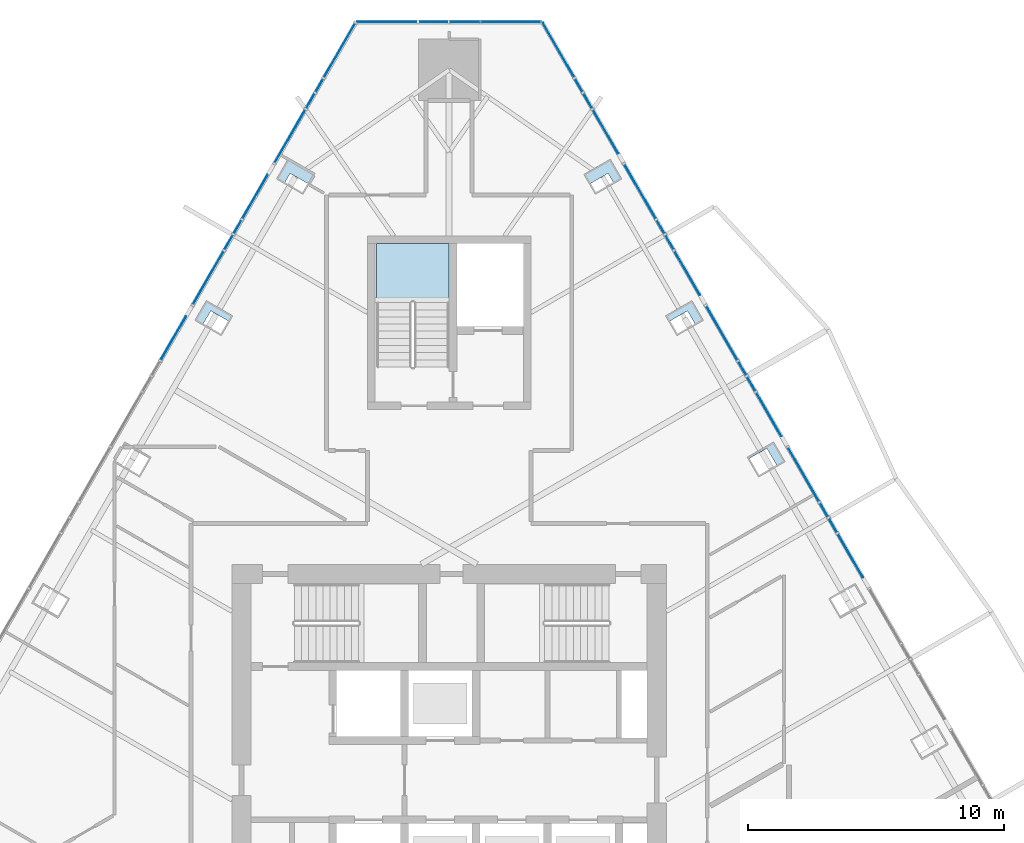
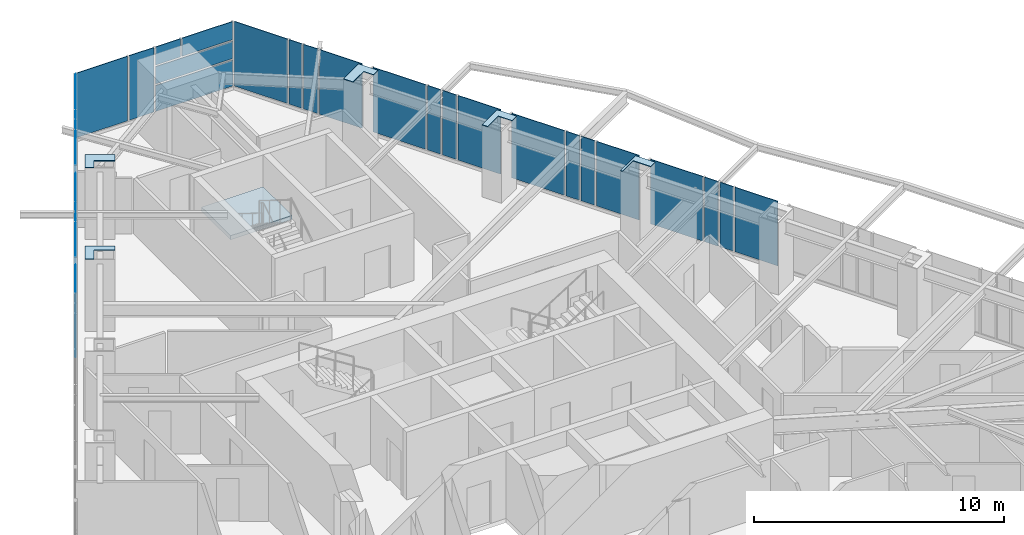
# One storey, part 20 of 26: 36 plates, 1 slab, 4 elements without a shape of their own.
"""IFC4 building model written with IfcOpenShell, lengths in metres."""

import ifcopenshell
import ifcopenshell.guid

model = None  # the IFC model being written
_history = None  # IfcOwnerHistory: only IFC2X3 demands one
_inside = {}  # id of a spatial element -> (the spatial element, [elements in it])
_under = {}  # id of a project, library or spatial element -> (it, [spatial elements below it])
_declared = {}  # id of a project -> (the project, [libraries it declares])
_typed = {}  # id of a type object -> (the type object, [elements of that type])
_made_of = {}  # id of a material, layer set ... -> (it, [elements and type objects made of it])


def new_model(schema):
    """Start an empty IFC model of exactly this schema.

    Asked for "IFC4X3", IfcOpenShell would pick the latest addendum, in which some entities
    have other attributes; the version numbers below select the first issue.
    IFC2X3 requires an IfcOwnerHistory on every rooted entity: one is made here for all.
    """
    global model, _history
    if schema == "IFC4X3":
        model = ifcopenshell.file(schema_version=(4, 3, 0, 0))
    else:
        model = ifcopenshell.file(schema=schema)
    _inside.clear()
    _under.clear()
    _declared.clear()
    _typed.clear()
    _made_of.clear()
    _history = None
    if model.schema == "IFC2X3":
        org = make("IfcOrganization", Name="unknown")
        user = make(
            "IfcPersonAndOrganization",
            ThePerson=make("IfcPerson", FamilyName="unknown"),
            TheOrganization=org,
        )
        app = make(
            "IfcApplication",
            ApplicationDeveloper=org,
            Version="unknown",
            ApplicationFullName="unknown",
            ApplicationIdentifier="unknown",
        )
        _history = make(
            "IfcOwnerHistory",
            OwningUser=user,
            OwningApplication=app,
            ChangeAction="ADDED",
            CreationDate=0,
        )
    return model


def make(cls, **values):
    """One entity of the class cls with the attributes given. An attribute that is None is left unset."""
    return model.create_entity(
        cls, **{name: value for name, value in values.items() if value is not None}
    )


def rooted(cls, **values):
    """An entity with a GlobalId (a new one), such as an element, a storey or a relation."""
    return make(cls, GlobalId=ifcopenshell.guid.new(), OwnerHistory=_history, **values)


def si_unit(unit_type, name, prefix=None):
    """IfcSIUnit, for example si_unit("LENGTHUNIT", "METRE", prefix="MILLI")."""
    return make("IfcSIUnit", UnitType=unit_type, Prefix=prefix, Name=name)


def assignment(units):
    """IfcUnitAssignment: the units of a project."""
    return None if units is None else make("IfcUnitAssignment", Units=units)


def point(xyz):
    """IfcCartesianPoint."""
    return None if xyz is None else make("IfcCartesianPoint", Coordinates=xyz)


def direction(xyz):
    """IfcDirection."""
    return None if xyz is None else make("IfcDirection", DirectionRatios=xyz)


def frame(location, z_axis=None, x_axis=None):
    """IfcAxis2Placement3D, a coordinate frame: its origin and axes. An axis left out is left unset."""
    return make(
        "IfcAxis2Placement3D",
        Location=point(location),
        Axis=direction(z_axis),
        RefDirection=direction(x_axis),
    )


def origin():
    """The frame at (0, 0, 0) with its axes left unset."""
    return frame((0.0, 0.0, 0.0))


def place(relative_to, where):
    """IfcLocalPlacement: puts the frame where relative to a parent placement (None: the world)."""
    return make(
        "IfcLocalPlacement", PlacementRelTo=relative_to, RelativePlacement=where
    )


def context(
    kind, dimensions, precision=None, world=None, true_north=None, identifier=None
):
    """IfcGeometricRepresentationContext, for example the 3D "Model" context."""
    return make(
        "IfcGeometricRepresentationContext",
        ContextIdentifier=identifier,
        ContextType=kind,
        CoordinateSpaceDimension=dimensions,
        Precision=precision,
        WorldCoordinateSystem=world,
        TrueNorth=true_north,
    )


def subcontext(parent, identifier, kind, view, scale=None):
    """IfcGeometricRepresentationSubContext, for example "Body" below "Model"."""
    return make(
        "IfcGeometricRepresentationSubContext",
        ContextIdentifier=identifier,
        ContextType=kind,
        ParentContext=parent,
        TargetScale=scale,
        TargetView=view,
    )


def project(units=None, contexts=None):
    """IfcProject with its units and contexts."""
    return rooted(
        "IfcProject",
        Name="project",
        RepresentationContexts=contexts,
        UnitsInContext=assignment(units),
    )


def spatial(cls, under=None, at=None, **own):
    """A site, building, storey or space (cls), placed at a placement, below another one or the project."""
    s = rooted(cls, ObjectPlacement=at, **own)
    if under is not None:
        _under.setdefault(under.id(), (under, []))[1].append(s)
    return s


def polyline(points):
    """IfcPolyline through the points."""
    return make("IfcPolyline", Points=[point(p) for p in points])


def outline(outer, holes=None, kind="AREA"):
    """IfcArbitraryClosedProfileDef: a profile drawn as a closed curve; with holes, ...WithVoids."""
    if holes is None:
        return make("IfcArbitraryClosedProfileDef", ProfileType=kind, OuterCurve=outer)
    return make(
        "IfcArbitraryProfileDefWithVoids",
        ProfileType=kind,
        OuterCurve=outer,
        InnerCurves=holes,
    )


def extrude(swept, where, along, depth):
    """IfcExtrudedAreaSolid: the profile swept, set in the frame where, extruded along a direction by depth."""
    return make(
        "IfcExtrudedAreaSolid",
        SweptArea=swept,
        Position=where,
        ExtrudedDirection=direction(along),
        Depth=depth,
    )


def shape(context_of_items, identifier, shape_type, items):
    """IfcShapeRepresentation: the items that make up one representation, for example the "Body"."""
    return make(
        "IfcShapeRepresentation",
        ContextOfItems=context_of_items,
        RepresentationIdentifier=identifier,
        RepresentationType=shape_type,
        Items=items,
    )


def material(Name=None, Category=None):
    """IfcMaterial."""
    return make("IfcMaterial", Name=Name, Category=Category)


def layer(
    of_material, thickness, ventilated=None, Name=None, Category=None, Priority=None
):
    """IfcMaterialLayer: one layer of a wall or slab, of a material (None: an air gap)."""
    return make(
        "IfcMaterialLayer",
        Material=of_material,
        LayerThickness=thickness,
        IsVentilated=ventilated,
        Name=Name,
        Category=Category,
        Priority=Priority,
    )


def layer_set(layers, Name=None):
    """IfcMaterialLayerSet."""
    return make("IfcMaterialLayerSet", MaterialLayers=layers, LayerSetName=Name)


def made_of(thing, what):
    """Note that an element or type object is made of a material, layer set ...; save() writes the relation."""
    if what is not None:
        _made_of.setdefault(what.id(), (what, []))[1].append(thing)
    return thing


def type_object(cls, material=None, **own):
    """A type object (cls), such as IfcWallType, which elements share."""
    return made_of(rooted(cls, **own), material)


def element(
    cls,
    number,
    at=None,
    inside=None,
    cuts=None,
    type_object=None,
    material=None,
    context=None,
    identifier="Body",
    shape_type=None,
    held_by="IfcProductDefinitionShape",
    body=None,
    shapes=None,
    **own,
):
    """One element of the class cls, such as IfcWall. Its Tag is "e" and its number.

    at: its placement. inside: the storey or other place that contains it. cuts: it is an
    opening in that element (IfcRelVoidsElement). A single representation is given by context,
    identifier, shape_type and body (its items); several are given by shapes. held_by: the class
    of the entity that holds the representations. save() writes the other relations.
    """
    e = rooted(cls, Tag="e%d" % number, ObjectPlacement=at, **own)
    if body is not None:
        shapes = [shape(context, identifier, shape_type, body)]
    if shapes is not None:
        e.Representation = make(held_by, Representations=shapes)
    if inside is not None:
        _inside.setdefault(inside.id(), (inside, []))[1].append(e)
    if cuts is not None:
        rooted(
            "IfcRelVoidsElement", RelatingBuildingElement=cuts, RelatedOpeningElement=e
        )
    if type_object is not None:
        _typed.setdefault(type_object.id(), (type_object, []))[1].append(e)
    return made_of(e, material)


def aggregate(whole, parts):
    """IfcRelAggregates: a whole, such as a stair, and the parts it consists of."""
    return rooted("IfcRelAggregates", RelatingObject=whole, RelatedObjects=parts)


def save(model, path):
    """Write the relations noted so far, then the file.

    IfcRelAggregates (storeys below a building ...), IfcRelContainedInSpatialStructure (elements
    in a storey), IfcRelDefinesByType, IfcRelAssociatesMaterial and IfcRelDeclares: one each for
    every whole, place, type object, material and project.
    """
    for whole, parts in _under.values():
        aggregate(whole, parts)
    for where, things in _inside.values():
        rooted(
            "IfcRelContainedInSpatialStructure",
            RelatedElements=things,
            RelatingStructure=where,
        )
    for kind, things in _typed.values():
        rooted("IfcRelDefinesByType", RelatedObjects=things, RelatingType=kind)
    for what, things in _made_of.values():
        rooted("IfcRelAssociatesMaterial", RelatedObjects=things, RelatingMaterial=what)
    for by, libraries in _declared.values():
        rooted("IfcRelDeclares", RelatingContext=by, RelatedDefinitions=libraries)
    model.write(path)


model = new_model("IFC4")

# Units and contexts
model_context = context("Model", 3, precision=1e-05, world=origin(), true_north=direction((0.0, 1.0)))
body_context = subcontext(model_context, "Body", "Model", "MODEL_VIEW")
ifc_project = project(units=[si_unit("LENGTHUNIT", "METRE"), si_unit("AREAUNIT", "SQUARE_METRE"), si_unit("VOLUMEUNIT", "CUBIC_METRE"), si_unit("PLANEANGLEUNIT", "RADIAN"), si_unit("MASSUNIT", "GRAM", prefix="KILO")], contexts=[model_context])

# Site, building, storey
site_placement = place(None, origin())
site = spatial("IfcSite", under=ifc_project, at=site_placement, CompositionType="ELEMENT")
building_placement = place(site_placement, origin())
building = spatial("IfcBuilding", under=site, at=building_placement, Name="Firuza Gate Tower and Library", CompositionType="ELEMENT")
storey_placement = place(building_placement, frame((0.0, 0.0, 288.10009765625)))
storey = spatial("IfcBuildingStorey", under=building, at=storey_placement, Name="L69", CompositionType="ELEMENT", Elevation=288.10009765625)

# Plates
ifc_material_1 = material(Name="Steel S355", Category="steel")
ifc_layer_1 = layer(ifc_material_1, 0.030029296875)
ifc_layer_set_1 = layer_set([ifc_layer_1], Name="Column infill plate 30 Steel S355")
plate_type_1 = type_object("IfcPlateType", Name="Column infill plate 30 Steel S355", PredefinedType="SHEET", material=ifc_layer_set_1)
placement_1 = place(storey_placement, frame((0.0, 0.0, 3.5)))
element("IfcPlate", 1, at=placement_1, inside=storey, type_object=plate_type_1, Name="Infill plate L69:E4", PredefinedType="SHEET", context=body_context, shape_type="SweptSolid", body=[
    extrude(outline(polyline([(86.659912109375, 85.9404296875), (86.703857421875, 85.8642578125), (87.435302734375, 86.286376953125), (87.84130859375, 85.583251953125), (88.149169921875, 85.760986328125), (87.69921875, 86.540283203125), (86.659912109375, 85.9404296875)])), origin(), (0.0, 0.0, 1.0), 0.02978515625),
])
element("IfcPlate", 2, at=placement_1, inside=storey, type_object=plate_type_1, Name="Infill plate L69:E5", PredefinedType="SHEET", context=body_context, shape_type="SweptSolid", body=[
    extrude(outline(polyline([(83.46533203125, 91.4736328125), (83.597412109375, 91.2451171875), (84.32861328125, 91.667236328125), (84.646484375, 91.116455078125), (84.95458984375, 91.294189453125), (84.504638671875, 92.07373046875), (83.46533203125, 91.4736328125)])), origin(), (0.0, 0.0, 1.0), 0.02978515625),
])
element("IfcPlate", 3, at=placement_1, inside=storey, type_object=plate_type_1, Name="Infill plate L69:E6", PredefinedType="SHEET", context=body_context, shape_type="SweptSolid", body=[
    extrude(outline(polyline([(80.2705078125, 97.007080078125), (80.49072265625, 96.6259765625), (81.221923828125, 97.048095703125), (81.451904296875, 96.64990234375), (81.759765625, 96.82763671875), (81.309814453125, 97.60693359375), (80.2705078125, 97.007080078125)])), origin(), (0.0, 0.0, 1.0), 0.02978515625),
])
element("IfcPlate", 4, at=placement_1, inside=storey, type_object=plate_type_1, Name="Infill plate L69:W1", PredefinedType="SHEET", context=body_context, shape_type="SweptSolid", body=[
    extrude(outline(polyline([(68.240234375, 96.82763671875), (68.548095703125, 96.64990234375), (68.778076171875, 97.048095703125), (69.50927734375, 96.6259765625), (69.7294921875, 97.007080078125), (68.690185546875, 97.60693359375), (68.240234375, 96.82763671875)])), origin(), (0.0, 0.0, 1.0), 0.02978515625),
])
element("IfcPlate", 5, at=placement_1, inside=storey, type_object=plate_type_1, Name="Infill plate L69:W2", PredefinedType="SHEET", context=body_context, shape_type="SweptSolid", body=[
    extrude(outline(polyline([(65.04541015625, 91.294189453125), (65.353515625, 91.116455078125), (65.67138671875, 91.667236328125), (66.402587890625, 91.2451171875), (66.53466796875, 91.4736328125), (65.495361328125, 92.07373046875), (65.04541015625, 91.294189453125)])), origin(), (0.0, 0.0, 1.0), 0.02978515625),
])

# Curtain wall, plates
ifc_material_2 = material(Name="Aluminium 6063-T6", Category="aluminium")
ifc_layer_2 = layer(ifc_material_2, 0.14990234375)
ifc_layer_set_2 = layer_set([ifc_layer_2], Name="Corner curtain wall, chamfers")
curtain_wall_type_1 = type_object("IfcCurtainWallType", Name="Corner curtain wall, chamfers", PredefinedType="NOTDEFINED", material=ifc_layer_set_2)
placement_2 = place(storey_placement, origin())
curtain_wall_1 = element("IfcCurtainWall", 6, at=placement_2, inside=storey, type_object=curtain_wall_type_1, Name="CW4 L69 N corner", PredefinedType="NOTDEFINED")
ifc_material_3 = material(Name="Fritted glass", Category="glass")
ifc_layer_3 = layer(ifc_material_3, 0.030029296875)
ifc_layer_set_3 = layer_set([ifc_layer_3], Name="Fritted glass unit, corners")
plate_type_2 = type_object("IfcPlateType", Name="Fritted glass unit, corners", PredefinedType="CURTAIN_PANEL", material=ifc_layer_set_3)
plate_6_placement = place(storey_placement, frame((78.603271484375, 102.99072265625, 0.14990234375), z_axis=(0.0, 1.0, 0.0), x_axis=(-1.0, 0.0, 0.0)))
plate_6 = element("IfcPlate", 7, at=plate_6_placement, type_object=plate_type_2, Name="Glass unit", PredefinedType="CURTAIN_PANEL", context=body_context, shape_type="SweptSolid", body=[
    extrude(outline(polyline([(0.0, 0.0), (3.563232421875, 0.0), (3.563232421875, 1.260009765625), (0.0, 1.260009765625), (0.0, 0.0)])), origin(), (0.0, 0.0, -1.0), 0.030029296875),
])
plate_7_placement = place(storey_placement, frame((78.603271484375, 102.99072265625, 1.489990234375), z_axis=(0.0, 1.0, 0.0), x_axis=(-1.0, 0.0, 0.0)))
plate_7 = element("IfcPlate", 8, at=plate_7_placement, type_object=plate_type_2, Name="Glass unit", PredefinedType="CURTAIN_PANEL", context=body_context, shape_type="SweptSolid", body=[
    extrude(outline(polyline([(0.0, 0.0), (3.563232421875, 0.0), (3.563232421875, 0.844970703125), (0.0, 0.844970703125), (0.0, 0.0)])), origin(), (0.0, 0.0, -1.0), 0.030029296875),
])
plate_8_placement = place(storey_placement, frame((76.18212890625, 102.99072265625, 2.414794921875), z_axis=(0.0, 1.0, 0.0), x_axis=(-1.0, 0.0, 0.0)))
plate_8 = element("IfcPlate", 9, at=plate_8_placement, type_object=plate_type_2, Name="Glass unit", PredefinedType="CURTAIN_PANEL", context=body_context, shape_type="SweptSolid", body=[
    extrude(outline(polyline([(0.0, 0.0), (1.14208984375, 0.0), (1.14208984375, 0.885009765625), (0.0, 0.885009765625), (0.0, 0.0)])), origin(), (0.0, 0.0, -1.0), 0.030029296875),
])
plate_9_placement = place(storey_placement, frame((74.9599609375, 102.99072265625, 0.14990234375), z_axis=(0.0, 1.0, 0.0), x_axis=(-1.0, 0.0, 0.0)))
plate_9 = element("IfcPlate", 10, at=plate_9_placement, type_object=plate_type_2, Name="Glass unit", PredefinedType="CURTAIN_PANEL", context=body_context, shape_type="SweptSolid", body=[
    extrude(outline(polyline([(0.0, 0.0), (1.14208984375, 0.0), (1.14208984375, 3.14990234375), (0.0, 3.14990234375), (0.0, 0.0)])), origin(), (0.0, 0.0, -1.0), 0.030029296875),
])

ifc_material_4 = material(Name="Aluminium 6063-T6", Category="aluminium")
ifc_layer_4 = layer(ifc_material_4, 0.14990234375)
ifc_layer_set_4 = layer_set([ifc_layer_4], Name="Unitised curtain wall, residences")
curtain_wall_type_2 = type_object("IfcCurtainWallType", Name="Unitised curtain wall, residences", PredefinedType="NOTDEFINED", material=ifc_layer_set_4)
curtain_wall_2 = element("IfcCurtainWall", 11, at=placement_2, inside=storey, type_object=curtain_wall_type_2, Name="CW3 L69 E face", PredefinedType="NOTDEFINED")
ifc_material_5 = material(Name="Fritted glass", Category="glass")
ifc_layer_5 = layer(ifc_material_5, 0.030029296875)
ifc_layer_set_5 = layer_set([ifc_layer_5], Name="Fritted glass unit, residences")
plate_type_3 = type_object("IfcPlateType", Name="Fritted glass unit, residences", PredefinedType="CURTAIN_PANEL", material=ifc_layer_set_5)
plate_10_placement = place(storey_placement, frame((90.18994140625, 83.006103515625, 0.14990234375), z_axis=(0.866205205422, 0.499688445033, 0.0), x_axis=(-0.499688445033, 0.866205205422, 0.0)))
plate_10 = element("IfcPlate", 12, at=plate_10_placement, type_object=plate_type_3, Name="Glass unit", PredefinedType="CURTAIN_PANEL", context=body_context, shape_type="SweptSolid", body=[
    extrude(outline(polyline([(0.0, 0.0), (0.6214810009858179, 0.0), (0.6214810009858179, 3.14990234375), (0.0, 3.14990234375), (0.0, 0.0)])), origin(), (0.0, 0.0, -1.0), 0.030029296875),
])
plate_11_placement = place(storey_placement, frame((89.83935546875, 83.61376953125, 0.14990234375), z_axis=(0.865936922628, 0.500153222552, 0.0), x_axis=(-0.500153222552, 0.865936922628, 0.0)))
plate_11 = element("IfcPlate", 13, at=plate_11_placement, type_object=plate_type_3, Name="Glass unit", PredefinedType="CURTAIN_PANEL", context=body_context, shape_type="SweptSolid", body=[
    extrude(outline(polyline([(0.0, 0.0), (0.6213916088333289, 0.0), (0.6213916088333289, 3.14990234375), (0.0, 3.14990234375), (0.0, 0.0)])), origin(), (0.0, 0.0, -1.0), 0.030029296875),
])
plate_12_placement = place(storey_placement, frame((86.995361328125, 88.53955078125, 0.14990234375), z_axis=(0.8660059538, 0.500033686847, 0.0), x_axis=(-0.500033686847, 0.8660059538, 0.0)))
plate_12 = element("IfcPlate", 14, at=plate_12_placement, type_object=plate_type_3, Name="Glass unit", PredefinedType="CURTAIN_PANEL", context=body_context, shape_type="SweptSolid", body=[
    extrude(outline(polyline([(0.0, 0.0), (0.633746364665844, 0.0), (0.633746364665844, 3.14990234375), (0.0, 3.14990234375), (0.0, 0.0)])), origin(), (0.0, 0.0, -1.0), 0.030029296875),
])
plate_13_placement = place(storey_placement, frame((86.638427734375, 89.15771484375, 0.14990234375), z_axis=(0.866038699073, 0.499976971178, 0.0), x_axis=(-0.499976971178, 0.866038699073, 0.0)))
plate_13 = element("IfcPlate", 15, at=plate_13_placement, type_object=plate_type_3, Name="Glass unit", PredefinedType="CURTAIN_PANEL", context=body_context, shape_type="SweptSolid", body=[
    extrude(outline(polyline([(0.0, 0.0), (0.6089147639297292, 0.0), (0.6089147639297292, 3.14990234375), (0.0, 3.14990234375), (0.0, 0.0)])), origin(), (0.0, 0.0, -1.0), 0.030029296875),
])
plate_14_placement = place(storey_placement, frame((83.80078125, 94.07275390625, 0.14990234375), z_axis=(0.865908710228, 0.500202064721, 0.0), x_axis=(-0.500202064721, 0.865908710228, 0.0)))
plate_14 = element("IfcPlate", 16, at=plate_14_placement, type_object=plate_type_3, Name="Glass unit", PredefinedType="CURTAIN_PANEL", context=body_context, shape_type="SweptSolid", body=[
    extrude(outline(polyline([(0.0, 0.0), (0.6462232171712287, 0.0), (0.6462232171712287, 3.14990234375), (0.0, 3.14990234375), (0.0, 0.0)])), origin(), (0.0, 0.0, -1.0), 0.030029296875),
])
plate_15_placement = place(storey_placement, frame((83.4375, 94.70166015625, 0.14990234375), z_axis=(0.866069779101, 0.499923131819, 0.0), x_axis=(-0.499923131819, 0.866069779101, 0.0)))
plate_15 = element("IfcPlate", 17, at=plate_15_placement, type_object=plate_type_3, Name="Glass unit", PredefinedType="CURTAIN_PANEL", context=body_context, shape_type="SweptSolid", body=[
    extrude(outline(polyline([(0.0, 0.0), (0.596771432968729, 0.0), (0.596771432968729, 3.149902343750001), (0.0, 3.149902343750001), (0.0, 0.0)])), origin(), (0.0, 0.0, -1.0), 0.030029296875),
])
plate_16_placement = place(storey_placement, frame((80.60595703125, 99.606201171875, 0.14990234375), z_axis=(0.865975674536, 0.500086123694, 0.0), x_axis=(-0.500086123694, 0.865975674536, 0.0)))
plate_16 = element("IfcPlate", 18, at=plate_16_placement, type_object=plate_type_3, Name="Glass unit", PredefinedType="CURTAIN_PANEL", context=body_context, shape_type="SweptSolid", body=[
    extrude(outline(polyline([(0.0, 0.0), (0.658577967915076, 0.0), (0.658577967915076, 3.149902343750001), (0.0, 3.149902343750001), (0.0, 0.0)])), origin(), (0.0, 0.0, -1.0), 0.030029296875),
])
plate_17_placement = place(storey_placement, frame((80.23681640625, 100.245849609375, 0.14990234375), z_axis=(0.865893231143, 0.500228859883, 0.0), x_axis=(-0.500228859883, 0.865893231143, 0.0)))
plate_17 = element("IfcPlate", 19, at=plate_17_placement, type_object=plate_type_3, Name="Glass unit", PredefinedType="CURTAIN_PANEL", context=body_context, shape_type="SweptSolid", body=[
    extrude(outline(polyline([(0.0, 0.0), (0.5842052539573512, 0.0), (0.5842052539573512, 3.14990234375), (0.0, 3.14990234375), (0.0, 0.0)])), origin(), (0.0, 0.0, -1.0), 0.030029296875),
])

curtain_wall_3 = element("IfcCurtainWall", 20, at=placement_2, inside=storey, type_object=curtain_wall_type_2, Name="CW3 L69 W face", PredefinedType="NOTDEFINED")
plate_18_placement = place(storey_placement, frame((70.055419921875, 100.751708984375, 0.14990234375), z_axis=(-0.865893231143, 0.500228859883, 0.0), x_axis=(-0.500228859883, -0.865893231143, 0.0)))
plate_18 = element("IfcPlate", 21, at=plate_18_placement, type_object=plate_type_3, Name="Glass unit", PredefinedType="CURTAIN_PANEL", context=body_context, shape_type="SweptSolid", body=[
    extrude(outline(polyline([(0.0, 0.0), (0.5842052539573512, 0.0), (0.5842052539573512, 3.14990234375), (0.0, 3.14990234375), (0.0, 0.0)])), origin(), (0.0, 0.0, -1.0), 0.030029296875),
])
plate_19_placement = place(storey_placement, frame((69.723388671875, 100.176513671875, 0.14990234375), z_axis=(-0.865975674536, 0.500086123694, 0.0), x_axis=(-0.500086123694, -0.865975674536, 0.0)))
plate_19 = element("IfcPlate", 22, at=plate_19_placement, type_object=plate_type_3, Name="Glass unit", PredefinedType="CURTAIN_PANEL", context=body_context, shape_type="SweptSolid", body=[
    extrude(outline(polyline([(0.0, 0.0), (0.658577967915076, 0.0), (0.658577967915076, 3.149902343750001), (0.0, 3.149902343750001), (0.0, 0.0)])), origin(), (0.0, 0.0, -1.0), 0.030029296875),
])
plate_20_placement = place(storey_placement, frame((66.86083984375, 95.218505859375, 0.14990234375), z_axis=(-0.866069779101, 0.499923131819, 0.0), x_axis=(-0.499923131819, -0.866069779101, 0.0)))
plate_20 = element("IfcPlate", 23, at=plate_20_placement, type_object=plate_type_3, Name="Glass unit", PredefinedType="CURTAIN_PANEL", context=body_context, shape_type="SweptSolid", body=[
    extrude(outline(polyline([(0.0, 0.0), (0.596771432968729, 0.0), (0.596771432968729, 3.149902343750001), (0.0, 3.149902343750001), (0.0, 0.0)])), origin(), (0.0, 0.0, -1.0), 0.030029296875),
])
plate_21_placement = place(storey_placement, frame((66.5224609375, 94.63232421875, 0.14990234375), z_axis=(-0.865908710228, 0.500202064721, 0.0), x_axis=(-0.500202064721, -0.865908710228, 0.0)))
plate_21 = element("IfcPlate", 24, at=plate_21_placement, type_object=plate_type_3, Name="Glass unit", PredefinedType="CURTAIN_PANEL", context=body_context, shape_type="SweptSolid", body=[
    extrude(outline(polyline([(0.0, 0.0), (0.6462232171712287, 0.0), (0.6462232171712287, 3.14990234375), (0.0, 3.14990234375), (0.0, 0.0)])), origin(), (0.0, 0.0, -1.0), 0.030029296875),
])

# Plate
ifc_material_6 = material(Name="Glazed ceramic tile")
ifc_layer_6 = layer(ifc_material_6, 0.030029296875)
ifc_layer_set_6 = layer_set([ifc_layer_6], Name="Opaque ceramic panel, corners")
plate_type_4 = type_object("IfcPlateType", Name="Opaque ceramic panel, corners", PredefinedType="CURTAIN_PANEL", material=ifc_layer_set_6)
plate_22_placement = place(storey_placement, frame((78.603271484375, 102.99072265625, 2.414794921875), z_axis=(0.0, 1.0, 0.0), x_axis=(-1.0, 0.0, 0.0)))
plate_22 = element("IfcPlate", 25, at=plate_22_placement, type_object=plate_type_4, Name="Opaque ceramic panel", PredefinedType="CURTAIN_PANEL", context=body_context, shape_type="SweptSolid", body=[
    extrude(outline(polyline([(0.0, 0.0), (2.341064453125, 0.0), (2.341064453125, 0.885009765625), (0.0, 0.885009765625), (0.0, 0.0)])), origin(), (0.0, 0.0, -1.0), 0.030029296875),
])

plate_23_placement = place(storey_placement, frame((73.73779296875, 102.99072265625, 0.14990234375), z_axis=(0.0, 1.0, 0.0), x_axis=(-1.0, 0.0, 0.0)))
plate_23 = element("IfcPlate", 26, at=plate_23_placement, type_object=plate_type_4, Name="Opaque ceramic panel", PredefinedType="CURTAIN_PANEL", context=body_context, shape_type="SweptSolid", body=[
    extrude(outline(polyline([(0.0, 0.0), (2.341064453125, 0.0), (2.341064453125, 3.14990234375), (0.0, 3.14990234375), (0.0, 0.0)])), origin(), (0.0, 0.0, -1.0), 0.030029296875),
])

aggregate(curtain_wall_1, [plate_6, plate_7, plate_22, plate_8, plate_9, plate_23])

ifc_material_7 = material(Name="Glazed ceramic tile")
ifc_layer_7 = layer(ifc_material_7, 0.030029296875)
ifc_layer_set_7 = layer_set([ifc_layer_7], Name="Opaque ceramic panel, residences")
plate_type_5 = type_object("IfcPlateType", Name="Opaque ceramic panel, residences", PredefinedType="CURTAIN_PANEL", material=ifc_layer_set_7)
plate_24_placement = place(storey_placement, frame((91.213134765625, 81.234130859375, 0.14990234375), z_axis=(0.865995333216, 0.500052080135, 0.0), x_axis=(-0.500052080135, 0.865995333216, 0.0)))
plate_24 = element("IfcPlate", 27, at=plate_24_placement, type_object=plate_type_5, Name="Opaque ceramic panel", PredefinedType="CURTAIN_PANEL", context=body_context, shape_type="SweptSolid", body=[
    extrude(outline(polyline([(0.0, 0.0), (1.966103803846466, 0.0), (1.966103803846466, 3.14990234375), (0.0, 3.14990234375), (0.0, 0.0)])), origin(), (0.0, 0.0, -1.0), 0.030029296875),
])

plate_25_placement = place(storey_placement, frame((89.488525390625, 84.22119140625, 0.14990234375), z_axis=(0.866017538894, 0.500013622142, 0.0), x_axis=(-0.500013622142, 0.866017538894, 0.0)))
plate_25 = element("IfcPlate", 28, at=plate_25_placement, type_object=plate_type_5, Name="Opaque ceramic panel", PredefinedType="CURTAIN_PANEL", context=body_context, shape_type="SweptSolid", body=[
    extrude(outline(polyline([(0.0, 0.0), (2.4193676798105423, 0.0), (2.4193676798105423, 3.14990234375), (0.0, 3.14990234375), (0.0, 0.0)])), origin(), (0.0, 0.0, -1.0), 0.030029296875),
])

plate_26_placement = place(storey_placement, frame((88.0185546875, 86.767333984375, 0.14990234375), z_axis=(0.866026378386, 0.499998311937, 0.0), x_axis=(-0.499998311937, 0.866026378386, 0.0)))
plate_26 = element("IfcPlate", 29, at=plate_26_placement, type_object=plate_type_5, Name="Opaque ceramic panel", PredefinedType="CURTAIN_PANEL", context=body_context, shape_type="SweptSolid", body=[
    extrude(outline(polyline([(0.0, 0.0), (1.9663152322782618, 0.0), (1.9663152322782618, 3.14990234375), (0.0, 3.14990234375), (0.0, 0.0)])), origin(), (0.0, 0.0, -1.0), 0.030029296875),
])

plate_27_placement = place(storey_placement, frame((86.2939453125, 89.75439453125, 0.14990234375), z_axis=(0.865991642781, 0.500058471214, 0.0), x_axis=(-0.500058471214, 0.865991642781, 0.0)))
plate_27 = element("IfcPlate", 30, at=plate_27_placement, type_object=plate_type_5, Name="Opaque ceramic panel", PredefinedType="CURTAIN_PANEL", context=body_context, shape_type="SweptSolid", body=[
    extrude(outline(polyline([(0.0, 0.0), (2.43184452044647, 0.0), (2.43184452044647, 3.14990234375), (0.0, 3.14990234375), (0.0, 0.0)])), origin(), (0.0, 0.0, -1.0), 0.030029296875),
])

plate_28_placement = place(storey_placement, frame((84.82373046875, 92.30078125, 0.14990234375), z_axis=(0.865995333216, 0.500052080135, 0.0), x_axis=(-0.500052080135, 0.865995333216, 0.0)))
plate_28 = element("IfcPlate", 31, at=plate_28_placement, type_object=plate_type_5, Name="Opaque ceramic panel", PredefinedType="CURTAIN_PANEL", context=body_context, shape_type="SweptSolid", body=[
    extrude(outline(polyline([(0.0, 0.0), (1.966103803846466, 0.0), (1.966103803846466, 3.14990234375), (0.0, 3.14990234375), (0.0, 0.0)])), origin(), (0.0, 0.0, -1.0), 0.030029296875),
])

plate_29_placement = place(storey_placement, frame((83.09912109375, 95.287841796875, 0.14990234375), z_axis=(0.866052515552, 0.499953038101, 0.0), x_axis=(-0.499953038101, 0.866052515552, 0.0)))
plate_29 = element("IfcPlate", 32, at=plate_29_placement, type_object=plate_type_5, Name="Opaque ceramic panel", PredefinedType="CURTAIN_PANEL", context=body_context, shape_type="SweptSolid", body=[
    extrude(outline(polyline([(0.0, 0.0), (2.44407721326404, 0.0), (2.44407721326404, 3.14990234375), (0.0, 3.14990234375), (0.0, 0.0)])), origin(), (0.0, 0.0, -1.0), 0.030029296875),
])

plate_30_placement = place(storey_placement, frame((81.629150390625, 97.833984375, 0.14990234375), z_axis=(0.866026378386, 0.499998311937, 0.0), x_axis=(-0.499998311937, 0.866026378386, 0.0)))
plate_30 = element("IfcPlate", 33, at=plate_30_placement, type_object=plate_type_5, Name="Opaque ceramic panel", PredefinedType="CURTAIN_PANEL", context=body_context, shape_type="SweptSolid", body=[
    extrude(outline(polyline([(0.0, 0.0), (1.9663152322782618, 0.0), (1.9663152322782618, 3.14990234375), (0.0, 3.14990234375), (0.0, 0.0)])), origin(), (0.0, 0.0, -1.0), 0.030029296875),
])

plate_31_placement = place(storey_placement, frame((79.904541015625, 100.821044921875, 0.14990234375), z_axis=(0.866026705384, 0.499997745557, 0.0), x_axis=(-0.499997745557, 0.866026705384, 0.0)))
plate_31 = element("IfcPlate", 34, at=plate_31_placement, type_object=plate_type_5, Name="Opaque ceramic panel", PredefinedType="CURTAIN_PANEL", context=body_context, shape_type="SweptSolid", body=[
    extrude(outline(polyline([(0.0, 0.0), (2.456554045071214, 0.0), (2.456554045071214, 3.14990234375), (0.0, 3.14990234375), (0.0, 0.0)])), origin(), (0.0, 0.0, -1.0), 0.030029296875),
])

aggregate(curtain_wall_2, [plate_24, plate_10, plate_11, plate_25, plate_26, plate_12, plate_13, plate_27, plate_28, plate_14, plate_15, plate_29, plate_30, plate_16, plate_17, plate_31])

plate_32_placement = place(storey_placement, frame((71.32373046875, 102.948486328125, 0.14990234375), z_axis=(-0.866026705384, 0.499997745557, 0.0), x_axis=(-0.499997745557, -0.866026705384, 0.0)))
plate_32 = element("IfcPlate", 35, at=plate_32_placement, type_object=plate_type_5, Name="Opaque ceramic panel", PredefinedType="CURTAIN_PANEL", context=body_context, shape_type="SweptSolid", body=[
    extrude(outline(polyline([(0.0, 0.0), (2.456554045071214, 0.0), (2.456554045071214, 3.14990234375), (0.0, 3.14990234375), (0.0, 0.0)])), origin(), (0.0, 0.0, -1.0), 0.030029296875),
])

plate_33_placement = place(storey_placement, frame((69.35400390625, 99.536865234375, 0.14990234375), z_axis=(-0.866033707122, 0.499985617921, 0.0), x_axis=(-0.499985617921, -0.866033707122, 0.0)))
plate_33 = element("IfcPlate", 36, at=plate_33_placement, type_object=plate_type_5, Name="Opaque ceramic panel", PredefinedType="CURTAIN_PANEL", context=body_context, shape_type="SweptSolid", body=[
    extrude(outline(polyline([(0.0, 0.0), (2.382392746271462, 0.0), (2.382392746271462, 3.14990234375), (0.0, 3.14990234375), (0.0, 0.0)])), origin(), (0.0, 0.0, -1.0), 0.030029296875),
])

plate_34_placement = place(storey_placement, frame((67.8837890625, 96.990478515625, 0.14990234375), z_axis=(-0.866049104564, 0.499958946799, 0.0), x_axis=(-0.499958946799, -0.866049104564, 0.0)))
plate_34 = element("IfcPlate", 37, at=plate_34_placement, type_object=plate_type_5, Name="Opaque ceramic panel", PredefinedType="CURTAIN_PANEL", context=body_context, shape_type="SweptSolid", body=[
    extrude(outline(polyline([(0.0, 0.0), (1.9659817321875517, 0.0), (1.9659817321875517, 3.14990234375), (0.0, 3.14990234375), (0.0, 0.0)])), origin(), (0.0, 0.0, -1.0), 0.030029296875),
])

plate_35_placement = place(storey_placement, frame((66.159423828125, 94.00341796875, 0.14990234375), z_axis=(-0.865981836046, 0.500075453945, 0.0), x_axis=(-0.500075453945, -0.865981836046, 0.0)))
plate_35 = element("IfcPlate", 38, at=plate_35_placement, type_object=plate_type_5, Name="Opaque ceramic panel", PredefinedType="CURTAIN_PANEL", context=body_context, shape_type="SweptSolid", body=[
    extrude(outline(polyline([(0.0, 0.0), (2.3946581584412705, 0.0), (2.3946581584412705, 3.14990234375), (0.0, 3.14990234375), (0.0, 0.0)])), origin(), (0.0, 0.0, -1.0), 0.030029296875),
])

plate_36_placement = place(storey_placement, frame((64.689208984375, 91.457275390625, 0.14990234375), z_axis=(-0.866026378386, 0.499998311937, 0.0), x_axis=(-0.499998311937, -0.866026378386, 0.0)))
plate_36 = element("IfcPlate", 39, at=plate_36_placement, type_object=plate_type_5, Name="Opaque ceramic panel", PredefinedType="CURTAIN_PANEL", context=body_context, shape_type="SweptSolid", body=[
    extrude(outline(polyline([(0.0, 0.0), (1.9663152322782618, 0.0), (1.9663152322782618, 3.14990234375), (0.0, 3.14990234375), (0.0, 0.0)])), origin(), (0.0, 0.0, -1.0), 0.030029296875),
])

aggregate(curtain_wall_3, [plate_32, plate_18, plate_19, plate_33, plate_34, plate_20, plate_21, plate_35, plate_36])

# Stair, slab
ifc_material_8 = material(Name="Concrete C35/45", Category="concrete")
stair_type = type_object("IfcStairType", Name="Exit stair ST17", PredefinedType="HALF_TURN_STAIR", material=ifc_material_8)
stair = element("IfcStair", 40, at=placement_2, inside=storey, type_object=stair_type, Name="L69 Stair ST3", PredefinedType="HALF_TURN_STAIR")
ifc_material_9 = material(Name="Concrete C35/45", Category="concrete")
ifc_layer_8 = layer(ifc_material_9, 0.199951171875)
ifc_layer_set_8 = layer_set([ifc_layer_8], Name="Stair landing 200")
slab_type = type_object("IfcSlabType", Name="Stair landing 200", PredefinedType="LANDING", material=ifc_layer_set_8)
slab_placement = place(storey_placement, frame((0.0, 0.0, 1.5498046875)))
slab = element("IfcSlab", 41, at=slab_placement, type_object=slab_type, Name="ST3 landing 1", PredefinedType="LANDING", context=body_context, shape_type="SweptSolid", body=[
    extrude(outline(polyline([(75.0, 91.989990234375), (75.0, 94.300048828125), (72.159912109375, 94.300048828125), (72.159912109375, 91.989990234375), (75.0, 91.989990234375)])), origin(), (0.0, 0.0, 1.0), 0.2001953125),
])
aggregate(stair, [slab])

save(model, "model.ifc")
